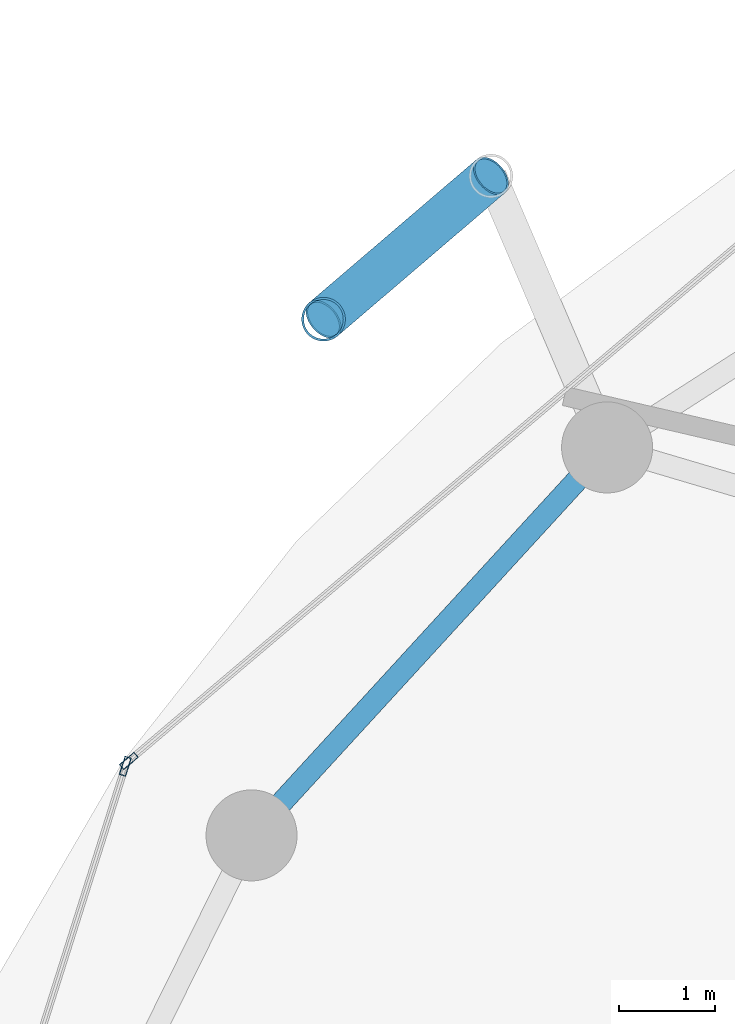
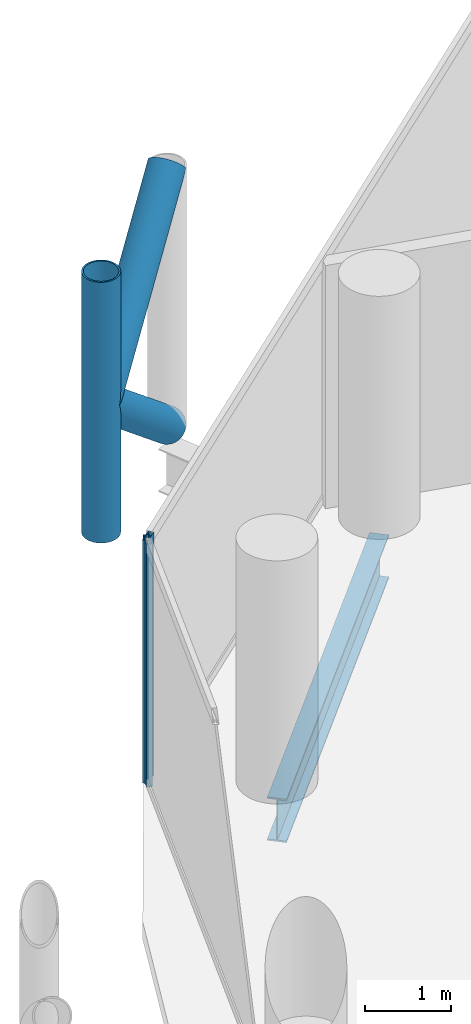
# One storey, part 13 of 26: 5 members, 1 beam, 2 elements without a shape of their own.
"""IFC4 building model written with IfcOpenShell, lengths in metres."""

from ifc_helpers import new_model, si_unit, direction, frame, origin, origin_2d, place, context, subcontext, project, spatial, hollow_rectangle, hollow_circle, i_section, extrude, material, layer, layer_set, material_profile, profile_set, type_object, element, aggregate, save


model = new_model("IFC4")

# Units and contexts
model_context = context("Model", 3, precision=1e-05, world=origin(), true_north=direction((0.0, 1.0)))
body_context = subcontext(model_context, "Body", "Model", "MODEL_VIEW")
ifc_project = project(units=[si_unit("LENGTHUNIT", "METRE"), si_unit("AREAUNIT", "SQUARE_METRE"), si_unit("VOLUMEUNIT", "CUBIC_METRE"), si_unit("PLANEANGLEUNIT", "RADIAN"), si_unit("MASSUNIT", "GRAM", prefix="KILO")], contexts=[model_context])

# Site, building, storey
site_placement = place(None, origin())
site = spatial("IfcSite", under=ifc_project, at=site_placement, CompositionType="ELEMENT")
building_placement = place(site_placement, origin())
building = spatial("IfcBuilding", under=site, at=building_placement, Name="Nuhasar Tower", CompositionType="ELEMENT")
storey_placement = place(building_placement, frame((0.0, 0.0, 121.949951171875)))
storey = spatial("IfcBuildingStorey", under=building, at=storey_placement, Name="L28", CompositionType="ELEMENT", Elevation=121.949951171875)

# Beam
ifc_material_1 = material(Name="Steel S355", Category="steel")
ifc_material_profile_1 = material_profile(ifc_material_1, i_section(OverallWidth=0.22998046875, OverallDepth=0.616943359375, WebThickness=0.01318359375, FlangeThickness=0.022216796875, at=origin_2d()), Name="W24X94")
ifc_profile_set_1 = profile_set([ifc_material_profile_1], Name="Steel S355")
beam_type = type_object("IfcBeamType", Name="BM-RING-W24X94", PredefinedType="SPANDREL", material=ifc_profile_set_1)
beam_placement = place(storey_placement, frame((22.489013671875, 40.6240234375, -0.557861328125), z_axis=(-0.675654174897, -0.737218716491, 0.0), x_axis=(0.737218716491, -0.675654174897, 0.0)))
element("IfcBeam", 1, at=beam_placement, inside=storey, type_object=beam_type, Name="L28 Perimeter Ring Spandrel 10", PredefinedType="SPANDREL", context=body_context, shape_type="SweptSolid", body=[
    extrude(i_section(OverallWidth=0.22998046875, OverallDepth=0.616943359375, WebThickness=0.01318359375, FlangeThickness=0.022216796875, at=origin_2d()), origin(), (0.0, 0.0, 1.0), 5.492431640625),
])

# Curtain wall, member
ifc_material_2 = material(Name="Aluminium 6063-T6", Category="aluminium")
ifc_layer = layer(ifc_material_2, 0.199951171875)
ifc_layer_set = layer_set([ifc_layer], Name="Aluminium 6063-T6")
curtain_wall_type = type_object("IfcCurtainWallType", Name="CW-Z2-HTL", PredefinedType="NOTDEFINED", material=ifc_layer_set)
curtain_wall_1_placement = place(storey_placement, origin())
curtain_wall_1 = element("IfcCurtainWall", 2, at=curtain_wall_1_placement, inside=storey, type_object=curtain_wall_type, Name="L28 Unitised Curtain Wall 05", PredefinedType="NOTDEFINED")
ifc_material_profile_2 = material_profile(ifc_material_2, hollow_rectangle(XDim=0.070068359375, YDim=0.199951171875, WallThickness=0.0048828125, at=origin_2d()), Name="CWM-3")
ifc_profile_set_2 = profile_set([ifc_material_profile_2], Name="Aluminium 6063-T6")
member_type_1 = type_object("IfcMemberType", Name="CW-MUL-S3", PredefinedType="MULLION", material=ifc_profile_set_2)
member_1_placement = place(storey_placement, frame((17.497802734375, 37.3525390625, 0.0), z_axis=(0.0, 0.0, 1.0), x_axis=(0.646374438324, -0.763020370292, 0.0)))
member_1 = element("IfcMember", 3, at=member_1_placement, type_object=member_type_1, Name="CW-Z2 mullion 2", PredefinedType="MULLION", context=body_context, shape_type="SweptSolid", body=[
    extrude(hollow_rectangle(XDim=0.070068359375, YDim=0.199951171875, WallThickness=0.0048828125, at=origin_2d()), origin(), (0.0, 0.0, 1.0), 3.449951171875),
])
aggregate(curtain_wall_1, [member_1])

curtain_wall_2_placement = place(storey_placement, origin())
curtain_wall_2 = element("IfcCurtainWall", 4, at=curtain_wall_2_placement, inside=storey, type_object=curtain_wall_type, Name="L28 Unitised Curtain Wall 06", PredefinedType="NOTDEFINED")
member_2_placement = place(storey_placement, frame((17.46044921875, 37.296630859375, 0.0), z_axis=(0.0, 0.0, 1.0), x_axis=(0.953433389233, -0.301603667577, 0.0)))
member_2 = element("IfcMember", 5, at=member_2_placement, type_object=member_type_1, Name="CW-Z2 mullion 1", PredefinedType="MULLION", context=body_context, shape_type="SweptSolid", body=[
    extrude(hollow_rectangle(XDim=0.070068359375, YDim=0.199951171875, WallThickness=0.0048828125, at=origin_2d()), origin(), (0.0, 0.0, 1.0), 3.449951171875),
])
aggregate(curtain_wall_2, [member_2])

# Members
ifc_material_3 = material(Name="Steel S460", Category="steel")
ifc_material_profile_3 = material_profile(ifc_material_3, hollow_circle(Radius=0.228515625, WallThickness=0.022216796875, at=origin_2d()), Name="HSS457X22.2")
ifc_profile_set_3 = profile_set([ifc_material_profile_3], Name="Steel S460")
member_type_2 = type_object("IfcMemberType", Name="EXO-BRONZE-457", PredefinedType="BRACE", material=ifc_profile_set_3)
member_3_placement = place(storey_placement, frame((19.529052734375, 41.9619140625, 0.0), z_axis=(0.0, 0.0, 1.0), x_axis=(1.0, 0.0, 0.0)))
element("IfcMember", 6, at=member_3_placement, inside=storey, type_object=member_type_2, Name="L28 Exoskeleton Chord Column EC-05B", PredefinedType="BRACE", context=body_context, shape_type="SweptSolid", body=[
    extrude(hollow_circle(Radius=0.228515625, WallThickness=0.022216796875, at=origin_2d()), origin(), (0.0, 0.0, 1.0), 3.699951171875),
])
member_4_placement = place(storey_placement, frame((21.277099609375, 43.45703125, 0.0), z_axis=(-0.592170370358, -0.506487618445, 0.626741210415), x_axis=(0.649986859795, -0.759945446788, 0.0)))
element("IfcMember", 7, at=member_4_placement, inside=storey, type_object=member_type_2, Name="L28 Bronze Diagrid Brace W1-05", PredefinedType="BRACE", context=body_context, shape_type="SweptSolid", body=[
    extrude(hollow_circle(Radius=0.228515625, WallThickness=0.022216796875, at=origin_2d()), origin(), (0.0, 0.0, 1.0), 2.951904296875),
])
member_5_placement = place(storey_placement, frame((19.529052734375, 41.9619140625, 1.85009765625), z_axis=(0.592201065785, 0.506513872468, 0.626690988192), x_axis=(-0.649986859795, 0.759945446788, 0.0)))
element("IfcMember", 8, at=member_5_placement, inside=storey, type_object=member_type_2, Name="L28 Bronze Diagrid Brace W2-05", PredefinedType="BRACE", context=body_context, shape_type="SweptSolid", body=[
    extrude(hollow_circle(Radius=0.228515625, WallThickness=0.022216796875, at=origin_2d()), origin(), (0.0, 0.0, 1.0), 2.95166015625),
])

save(model, "model.ifc")
